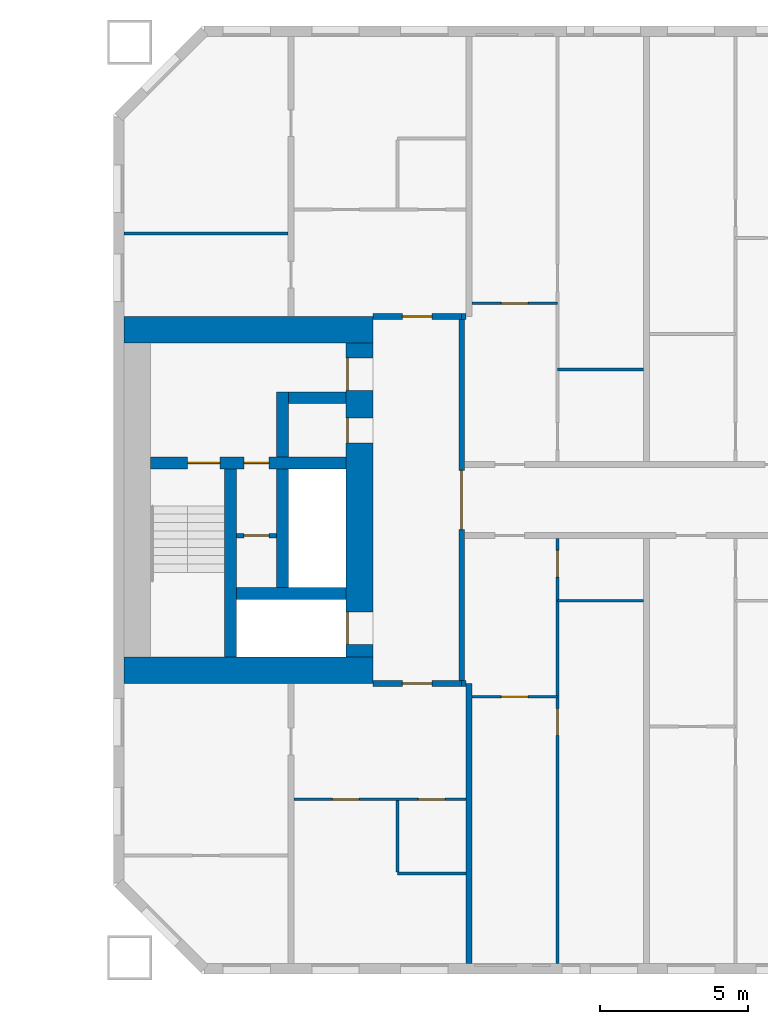
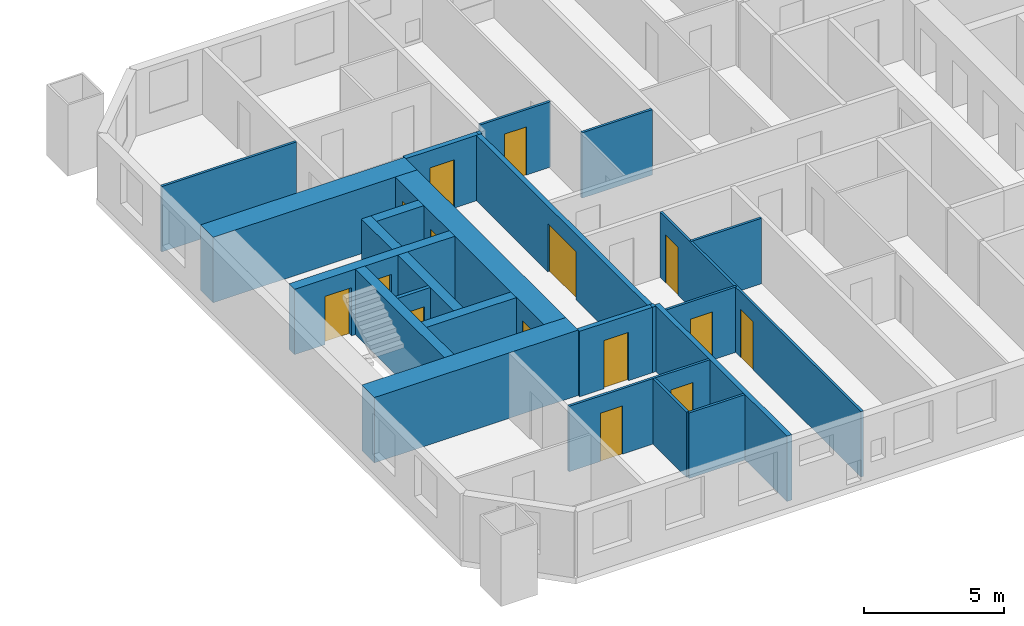
# One storey, part 10 of 17: 25 walls, 15 doors, 15 openings.
"""IFC4 building model written with IfcOpenShell, lengths in metres."""

from ifc_helpers import new_model, si_unit, direction, frame, frame_2d, origin, place, context, subcontext, project, spatial, rectangle, extrude, material, layer, layer_set, type_object, element, fill, save


model = new_model("IFC4")

# Units and contexts
model_context = context("Model", 3, precision=1e-05, world=origin(), true_north=direction((0.0, 1.0)))
body_context = subcontext(model_context, "Body", "Model", "MODEL_VIEW")
ifc_project = project(units=[si_unit("LENGTHUNIT", "METRE"), si_unit("AREAUNIT", "SQUARE_METRE"), si_unit("VOLUMEUNIT", "CUBIC_METRE"), si_unit("PLANEANGLEUNIT", "RADIAN"), si_unit("MASSUNIT", "GRAM", prefix="KILO")], contexts=[model_context])

# Site, building, storey
site_placement = place(None, origin())
site = spatial("IfcSite", under=ifc_project, at=site_placement, CompositionType="ELEMENT")
building_placement = place(site_placement, origin())
building = spatial("IfcBuilding", under=site, at=building_placement, Name="Tuart Gate Housing", CompositionType="ELEMENT")
storey_placement = place(building_placement, frame((0.0, 0.0, 28.800048828125)))
storey = spatial("IfcBuildingStorey", under=building, at=storey_placement, Name="L07", CompositionType="ELEMENT", Elevation=28.800048828125)

# Wall, opening, door
ifc_material_1 = material(Name="Plasterboard partition")
ifc_layer_1 = layer(ifc_material_1, 0.14990234375)
ifc_layer_set_1 = layer_set([ifc_layer_1], Name="Core partition 150")
wall_type_1 = type_object("IfcWallType", Name="Core partition 150", PredefinedType="PARTITIONING", material=ifc_layer_set_1)
wall_1_placement = place(storey_placement, frame((136.510009765625, 68.800048828125, 0.0), z_axis=(0.0, 0.0, 1.0), x_axis=(-1.0, 0.0, 0.0)))
wall_1 = element("IfcWall", 1, at=wall_1_placement, inside=storey, type_object=wall_type_1, Name="Core partition BG.2", PredefinedType="PARTITIONING", context=body_context, shape_type="SweptSolid", body=[
    extrude(rectangle(XDim=1.35009765625, YDim=0.14990234375, at=frame_2d((0.675048828125, 0.0))), origin(), (0.0, 0.0, 1.0), 2.849853515625),
])
opening_1_placement = place(wall_1_placement, frame((0.25, 0.0, 0.0)))
opening_1 = element("IfcOpeningElement", 2, at=opening_1_placement, cuts=wall_1, Name="Opening D564", PredefinedType="OPENING", context=body_context, shape_type="SweptSolid", body=[
    extrude(rectangle(XDim=0.85009765625, YDim=2.10009765625, at=frame_2d((0.425048828125, 1.050048828125))), frame((0.0, 0.0849609375, 0.0), z_axis=(0.0, -1.0, 0.0), x_axis=(1.0, 0.0, 0.0)), (0.0, 0.0, 1.0), 0.169921875),
])
ifc_material_2 = material(Name="Steel fire door", Category="steel")
door_type_1 = type_object("IfcDoorType", Name="Service door 850 x 2100 RH", OperationType="SINGLE_SWING_RIGHT", PredefinedType="DOOR", material=ifc_material_2)
door_1_placement = place(opening_1_placement, frame((0.85009765625, 0.0, 0.0), z_axis=(0.0, 0.0, 1.0), x_axis=(-1.0, 0.0, 0.0)))
door_1 = element("IfcDoor", 3, at=door_1_placement, inside=storey, type_object=door_type_1, Name="Service room door BG.W2", OperationType="SINGLE_SWING_RIGHT", OverallHeight=2.10009765625, OverallWidth=0.85009765625, PredefinedType="DOOR", context=body_context, shape_type="SweptSolid", body=[
    extrude(rectangle(XDim=0.85009765625, YDim=2.10009765625, at=frame_2d((0.425048828125, 1.050048828125))), frame((0.0, 0.025146484375, 0.0), z_axis=(0.0, -1.0, 0.0), x_axis=(1.0, 0.0, 0.0)), (0.0, 0.0, 1.0), 0.050048828125),
])
fill(opening_1, door_1)

# Wall
ifc_material_3 = material(Name="Concrete C60", Category="concrete")
ifc_layer_2 = layer(ifc_material_3, 0.39990234375)
ifc_layer_set_2 = layer_set([ifc_layer_2], Name="Core wall 400 C60")
wall_type_2 = type_object("IfcWallType", Name="Core wall 400 C60", PredefinedType="SHEAR", material=ifc_layer_set_2)
wall_2_placement = place(storey_placement, frame((138.860107421875, 66.85009765625, 0.0), z_axis=(0.0, 0.0, 1.0), x_axis=(-1.0, 0.0, 0.0)))
element("IfcWall", 4, at=wall_2_placement, inside=storey, type_object=wall_type_2, Name="Core wall BG.1", PredefinedType="SHEAR", context=body_context, shape_type="SweptSolid", body=[
    extrude(rectangle(XDim=3.7001953125, YDim=0.39990234375, at=frame_2d((1.85009765625, 0.0))), origin(), (0.0, 0.0, 1.0), 2.849853515625),
])

# Wall, openings, doors
wall_3_placement = place(storey_placement, frame((138.860107421875, 71.25, 0.0), z_axis=(0.0, 0.0, 1.0), x_axis=(-1.0, 0.0, 0.0)))
wall_3 = element("IfcWall", 5, at=wall_3_placement, inside=storey, type_object=wall_type_2, Name="Core wall BG.3", PredefinedType="SHEAR", context=body_context, shape_type="SweptSolid", body=[
    extrude(rectangle(XDim=6.60009765625, YDim=0.39990234375, at=frame_2d((3.300048828125, 0.0))), origin(), (0.0, 0.0, 1.0), 2.849853515625),
])
opening_2_placement = place(wall_3_placement, frame((4.25, 0.0, 0.0)))
opening_2 = element("IfcOpeningElement", 6, at=opening_2_placement, cuts=wall_3, Name="Opening D553", PredefinedType="OPENING", context=body_context, shape_type="SweptSolid", body=[
    extrude(rectangle(XDim=1.10009765625, YDim=2.10009765625, at=frame_2d((0.550048828125, 1.050048828125))), frame((0.0, 0.2099609375, 0.0), z_axis=(0.0, -1.0, 0.0), x_axis=(1.0, 0.0, 0.0)), (0.0, 0.0, 1.0), 0.419921875),
])
opening_3_placement = place(wall_3_placement, frame((2.60009765625, 0.0, 0.0)))
opening_3 = element("IfcOpeningElement", 7, at=opening_3_placement, cuts=wall_3, Name="Opening D552", PredefinedType="OPENING", context=body_context, shape_type="SweptSolid", body=[
    extrude(rectangle(XDim=0.85009765625, YDim=2.10009765625, at=frame_2d((0.425048828125, 1.050048828125))), frame((0.0, 0.2099609375, 0.0), z_axis=(0.0, -1.0, 0.0), x_axis=(1.0, 0.0, 0.0)), (0.0, 0.0, 1.0), 0.419921875),
])
ifc_material_4 = material(Name="Steel fire door", Category="steel")
door_type_2 = type_object("IfcDoorType", Name="Riser door 850 x 2100", OperationType="SINGLE_SWING_LEFT", PredefinedType="DOOR", material=ifc_material_4)
door_2_placement = place(opening_3_placement, origin())
door_2 = element("IfcDoor", 8, at=door_2_placement, inside=storey, type_object=door_type_2, Name="Service room door BG.W1", OperationType="SINGLE_SWING_LEFT", OverallHeight=2.10009765625, OverallWidth=0.85009765625, PredefinedType="DOOR", context=body_context, shape_type="SweptSolid", body=[
    extrude(rectangle(XDim=0.85009765625, YDim=2.10009765625, at=frame_2d((0.425048828125, 1.050048828125))), frame((0.0, 0.02490234375, 0.0), z_axis=(0.0, -1.0, 0.0), x_axis=(1.0, 0.0, 0.0)), (0.0, 0.0, 1.0), 0.050048828125),
])
fill(opening_3, door_2)
ifc_material_5 = material(Name="Steel fire door", Category="steel")
door_type_3 = type_object("IfcDoorType", Name="Stair door 1100 x 2100", OperationType="SINGLE_SWING_LEFT", PredefinedType="DOOR", material=ifc_material_5)
door_3_placement = place(opening_2_placement, origin())
door_3 = element("IfcDoor", 9, at=door_3_placement, inside=storey, type_object=door_type_3, Name="Stair door BG.SD", OperationType="SINGLE_SWING_LEFT", OverallHeight=2.10009765625, OverallWidth=1.10009765625, PredefinedType="DOOR", context=body_context, shape_type="SweptSolid", body=[
    extrude(rectangle(XDim=1.10009765625, YDim=2.10009765625, at=frame_2d((0.550048828125, 1.050048828125))), frame((0.0, 0.02490234375, 0.0), z_axis=(0.0, -1.0, 0.0), x_axis=(1.0, 0.0, 0.0)), (0.0, 0.0, 1.0), 0.050048828125),
])
fill(opening_2, door_3)

# Walls
wall_4_placement = place(storey_placement, frame((138.860107421875, 73.449951171875, 0.0), z_axis=(0.0, 0.0, 1.0), x_axis=(-1.0, 0.0, 0.0)))
element("IfcWall", 10, at=wall_4_placement, inside=storey, type_object=wall_type_2, Name="Core wall BG.4", PredefinedType="SHEAR", context=body_context, shape_type="SweptSolid", body=[
    extrude(rectangle(XDim=1.9501953125, YDim=0.39990234375, at=frame_2d((0.97509765625, 0.0))), origin(), (0.0, 0.0, 1.0), 2.849853515625),
])
wall_5_placement = place(storey_placement, frame((136.7099609375, 67.050048828125, 0.0), z_axis=(0.0, 0.0, 1.0), x_axis=(0.0, 1.0, 0.0)))
element("IfcWall", 11, at=wall_5_placement, inside=storey, type_object=wall_type_2, Name="Core wall BG.5", PredefinedType="SHEAR", context=body_context, shape_type="SweptSolid", body=[
    extrude(rectangle(XDim=4.0, YDim=0.39990234375, at=frame_2d((2.0, 0.0))), origin(), (0.0, 0.0, 1.0), 2.849853515625),
])
wall_6_placement = place(storey_placement, frame((136.7099609375, 71.449951171875, 0.0), z_axis=(0.0, 0.0, 1.0), x_axis=(0.0, 1.0, 0.0)))
element("IfcWall", 12, at=wall_6_placement, inside=storey, type_object=wall_type_2, Name="Core wall BG.6", PredefinedType="SHEAR", context=body_context, shape_type="SweptSolid", body=[
    extrude(rectangle(XDim=2.199951171875, YDim=0.39990234375, at=frame_2d((1.10009765625, 0.0))), origin(), (0.0, 0.0, 1.0), 2.849853515625),
])
wall_7_placement = place(storey_placement, frame((134.9599609375, 64.699951171875, 0.0), z_axis=(0.0, 0.0, 1.0), x_axis=(0.0, 1.0, 0.0)))
element("IfcWall", 13, at=wall_7_placement, inside=storey, type_object=wall_type_2, Name="Core wall BG.7", PredefinedType="SHEAR", context=body_context, shape_type="SweptSolid", body=[
    extrude(rectangle(XDim=6.35009765625, YDim=0.39990234375, at=frame_2d((3.175048828125, 0.0))), origin(), (0.0, 0.0, 1.0), 2.849853515625),
])

# Wall, openings, doors
ifc_material_6 = material(Name="Concrete C60", Category="concrete")
ifc_layer_3 = layer(ifc_material_6, 0.89990234375)
ifc_layer_set_3 = layer_set([ifc_layer_3], Name="Core wall 900 C60")
wall_type_3 = type_object("IfcWallType", Name="Core wall 900 C60", PredefinedType="SHEAR", material=ifc_layer_set_3)
wall_8_placement = place(storey_placement, frame((139.31005859375, 64.699951171875, 0.0), z_axis=(0.0, 0.0, 1.0), x_axis=(0.0, 1.0, 0.0)))
wall_8 = element("IfcWall", 14, at=wall_8_placement, inside=storey, type_object=wall_type_3, Name="Core wall BG front", PredefinedType="SHEAR", context=body_context, shape_type="SweptSolid", body=[
    extrude(rectangle(XDim=10.60009765625, YDim=0.89990234375, at=frame_2d((5.300048828125, 0.0))), origin(), (0.0, 0.0, 1.0), 2.849853515625),
])
opening_4_placement = place(wall_8_placement, frame((0.425048828125, 0.0, 0.0)))
opening_4 = element("IfcOpeningElement", 15, at=opening_4_placement, cuts=wall_8, Name="Opening LD-FB1", PredefinedType="OPENING", context=body_context, shape_type="SweptSolid", body=[
    extrude(rectangle(XDim=1.10009765625, YDim=2.10009765625, at=frame_2d((0.550048828125, 1.050048828125))), frame((0.0, 0.4599609375, 0.0), z_axis=(0.0, -1.0, 0.0), x_axis=(1.0, 0.0, 0.0)), (0.0, 0.0, 1.0), 0.919921875),
])
opening_5_placement = place(wall_8_placement, frame((9.0, 0.0, 0.0)))
opening_5 = element("IfcOpeningElement", 16, at=opening_5_placement, cuts=wall_8, Name="Opening D556", PredefinedType="OPENING", context=body_context, shape_type="SweptSolid", body=[
    extrude(rectangle(XDim=1.10009765625, YDim=2.10009765625, at=frame_2d((0.550048828125, 1.050048828125))), frame((0.0, 0.4599609375, 0.0), z_axis=(0.0, -1.0, 0.0), x_axis=(1.0, 0.0, 0.0)), (0.0, 0.0, 1.0), 0.919921875),
])
opening_6_placement = place(wall_8_placement, frame((7.22509765625, 0.0, 0.0)))
opening_6 = element("IfcOpeningElement", 17, at=opening_6_placement, cuts=wall_8, Name="Opening D557", PredefinedType="OPENING", context=body_context, shape_type="SweptSolid", body=[
    extrude(rectangle(XDim=0.85009765625, YDim=2.10009765625, at=frame_2d((0.425048828125, 1.050048828125))), frame((0.0, 0.4599609375, 0.0), z_axis=(0.0, -1.0, 0.0), x_axis=(1.0, 0.0, 0.0)), (0.0, 0.0, 1.0), 0.919921875),
])
ifc_material_7 = material(Name="Stainless steel", Category="steel")
door_type_4 = type_object("IfcDoorType", Name="Landing door 1100 x 2100", OperationType="DOUBLE_DOOR_SLIDING", PredefinedType="DOOR", material=ifc_material_7)
door_4_placement = place(opening_4_placement, origin())
door_4 = element("IfcDoor", 18, at=door_4_placement, inside=storey, type_object=door_type_4, Name="Lift landing door FB1", OperationType="DOUBLE_DOOR_SLIDING", OverallHeight=2.10009765625, OverallWidth=1.10009765625, PredefinedType="DOOR", context=body_context, shape_type="SweptSolid", body=[
    extrude(rectangle(XDim=1.10009765625, YDim=2.10009765625, at=frame_2d((0.550048828125, 1.050048828125))), frame((0.0, 0.43505859375, 0.0), z_axis=(0.0, -1.0, 0.0), x_axis=(1.0, 0.0, 0.0)), (0.0, 0.0, 1.0), 0.050048828125),
])
fill(opening_4, door_4)
ifc_material_8 = material(Name="Steel fire door", Category="steel")
door_type_5 = type_object("IfcDoorType", Name="Lobby door 1100 x 2100", OperationType="SINGLE_SWING_LEFT", PredefinedType="DOOR", material=ifc_material_8)
door_5_placement = place(opening_5_placement, origin())
door_5 = element("IfcDoor", 19, at=door_5_placement, inside=storey, type_object=door_type_5, Name="Lobby entry door BG.EN", OperationType="SINGLE_SWING_LEFT", OverallHeight=2.10009765625, OverallWidth=1.10009765625, PredefinedType="DOOR", context=body_context, shape_type="SweptSolid", body=[
    extrude(rectangle(XDim=1.10009765625, YDim=2.10009765625, at=frame_2d((0.550048828125, 1.050048828125))), frame((0.0, 0.43505859375, 0.0), z_axis=(0.0, -1.0, 0.0), x_axis=(1.0, 0.0, 0.0)), (0.0, 0.0, 1.0), 0.050048828125),
])
fill(opening_5, door_5)
ifc_material_9 = material(Name="Steel fire door", Category="steel")
door_type_6 = type_object("IfcDoorType", Name="Service door 850 x 2100", OperationType="SINGLE_SWING_LEFT", PredefinedType="DOOR", material=ifc_material_9)
door_6_placement = place(opening_6_placement, origin())
door_6 = element("IfcDoor", 20, at=door_6_placement, inside=storey, type_object=door_type_6, Name="Service room door BG.T1", OperationType="SINGLE_SWING_LEFT", OverallHeight=2.10009765625, OverallWidth=0.85009765625, PredefinedType="DOOR", context=body_context, shape_type="SweptSolid", body=[
    extrude(rectangle(XDim=0.85009765625, YDim=2.10009765625, at=frame_2d((0.425048828125, 1.050048828125))), frame((0.0, 0.43505859375, 0.0), z_axis=(0.0, -1.0, 0.0), x_axis=(1.0, 0.0, 0.0)), (0.0, 0.0, 1.0), 0.050048828125),
])
fill(opening_6, door_6)

# Walls
for number, where, z_axis, x_axis, name in (
    (21, (139.760009765625, 64.25, 0.0), (0.0, 0.0, 1.0), (-1.0, 0.0, 0.0), "Core wall BG south"),
    (22, (139.760009765625, 75.75, 0.0), (0.0, 0.0, 1.0), (-1.0, 0.0, 0.0), "Core wall BG north"),
):
    element("IfcWall", number, at=place(storey_placement, frame(where, z_axis=z_axis, x_axis=x_axis)), inside=storey, type_object=wall_type_3, Name=name, PredefinedType="SHEAR", context=body_context, shape_type="SweptSolid", body=[
        extrude(rectangle(XDim=8.39990234375, YDim=0.89990234375, at=frame_2d((4.199951171875, 0.0))), origin(), (0.0, 0.0, 1.0), 2.849853515625),
    ])

# Wall, opening, door
ifc_material_10 = material(Name="Concrete masonry 15 MPa", Category="masonry")
ifc_layer_4 = layer(ifc_material_10, 0.199951171875)
ifc_layer_set_4 = layer_set([ifc_layer_4], Name="Enclosure wall masonry 200")
wall_type_4 = type_object("IfcWallType", Name="Enclosure wall masonry 200", PredefinedType="PARTITIONING", material=ifc_layer_set_4)
wall_9_placement = place(storey_placement, frame((139.760009765625, 63.800048828125, 0.0), z_axis=(0.0, 0.0, 1.0), x_axis=(1.0, 0.0, 0.0)))
wall_9 = element("IfcWall", 23, at=wall_9_placement, inside=storey, type_object=wall_type_4, Name="Enclosure wall masonry 200", PredefinedType="PARTITIONING", context=body_context, shape_type="SweptSolid", body=[
    extrude(rectangle(XDim=3.0, YDim=0.199951171875, at=frame_2d((1.5, 0.0))), origin(), (0.0, 0.0, 1.0), 2.849853515625),
])
opening_7_placement = place(wall_9_placement, frame((1.0, 0.0, 0.0)))
opening_7 = element("IfcOpeningElement", 24, at=opening_7_placement, cuts=wall_9, Name="Opening D569", PredefinedType="OPENING", context=body_context, shape_type="SweptSolid", body=[
    extrude(rectangle(XDim=1.0, YDim=2.10009765625, at=frame_2d((0.5, 1.050048828125))), frame((0.0, 0.10986328125, 0.0), z_axis=(0.0, -1.0, 0.0), x_axis=(1.0, 0.0, 0.0)), (0.0, 0.0, 1.0), 0.219970703125),
])
ifc_material_11 = material(Name="Timber door leaf in steel frame", Category="steel")
door_type_7 = type_object("IfcDoorType", Name="Flat entrance door 1000", OperationType="SINGLE_SWING_LEFT", PredefinedType="DOOR", material=ifc_material_11)
door_7_placement = place(opening_7_placement, frame((1.0, 0.0, 0.0), z_axis=(0.0, 0.0, 1.0), x_axis=(-1.0, 0.0, 0.0)))
door_7 = element("IfcDoor", 25, at=door_7_placement, inside=storey, type_object=door_type_7, Name="Flat entrance door", OperationType="SINGLE_SWING_LEFT", OverallHeight=2.10009765625, OverallWidth=1.0, PredefinedType="DOOR", context=body_context, shape_type="SweptSolid", body=[
    extrude(rectangle(XDim=1.0, YDim=2.10009765625, at=frame_2d((0.5, 1.050048828125))), frame((0.0, 0.025146484375, 0.0), z_axis=(0.0, -1.0, 0.0), x_axis=(1.0, 0.0, 0.0)), (0.0, 0.0, 1.0), 0.050048828125),
])
fill(opening_7, door_7)

wall_10_placement = place(storey_placement, frame((139.760009765625, 76.199951171875, 0.0), z_axis=(0.0, 0.0, 1.0), x_axis=(1.0, 0.0, 0.0)))
wall_10 = element("IfcWall", 26, at=wall_10_placement, inside=storey, type_object=wall_type_4, Name="Enclosure wall masonry 200", PredefinedType="PARTITIONING", context=body_context, shape_type="SweptSolid", body=[
    extrude(rectangle(XDim=3.0, YDim=0.199951171875, at=frame_2d((1.5, 0.0))), origin(), (0.0, 0.0, 1.0), 2.849853515625),
])
opening_8_placement = place(wall_10_placement, frame((1.0, 0.0, 0.0)))
opening_8 = element("IfcOpeningElement", 27, at=opening_8_placement, cuts=wall_10, Name="Opening D549", PredefinedType="OPENING", context=body_context, shape_type="SweptSolid", body=[
    extrude(rectangle(XDim=1.0, YDim=2.10009765625, at=frame_2d((0.5, 1.050048828125))), frame((0.0, 0.10986328125, 0.0), z_axis=(0.0, -1.0, 0.0), x_axis=(1.0, 0.0, 0.0)), (0.0, 0.0, 1.0), 0.219970703125),
])
ifc_material_12 = material(Name="Timber door leaf in steel frame", Category="steel")
door_type_8 = type_object("IfcDoorType", Name="Flat entrance door 1000 RH", OperationType="SINGLE_SWING_RIGHT", PredefinedType="DOOR", material=ifc_material_12)
door_8_placement = place(opening_8_placement, origin())
door_8 = element("IfcDoor", 28, at=door_8_placement, inside=storey, type_object=door_type_8, Name="Flat entrance door", OperationType="SINGLE_SWING_RIGHT", OverallHeight=2.10009765625, OverallWidth=1.0, PredefinedType="DOOR", context=body_context, shape_type="SweptSolid", body=[
    extrude(rectangle(XDim=1.0, YDim=2.10009765625, at=frame_2d((0.5, 1.050048828125))), frame((0.0, 0.02490234375, 0.0), z_axis=(0.0, -1.0, 0.0), x_axis=(1.0, 0.0, 0.0)), (0.0, 0.0, 1.0), 0.050048828125),
])
fill(opening_8, door_8)

ifc_material_13 = material(Name="Plasterboard partition")
ifc_layer_5 = layer(ifc_material_13, 0.199951171875)
ifc_layer_set_5 = layer_set([ifc_layer_5], Name="Lobby wall 200")
wall_type_5 = type_object("IfcWallType", Name="Lobby wall 200", PredefinedType="PARTITIONING", material=ifc_layer_set_5)
wall_11_placement = place(storey_placement, frame((142.760009765625, 63.89990234375, 0.0), z_axis=(0.0, 0.0, 1.0), x_axis=(0.0, 1.0, 0.0)))
wall_11 = element("IfcWall", 29, at=wall_11_placement, inside=storey, type_object=wall_type_5, Name="Lift lobby wall BG", PredefinedType="PARTITIONING", context=body_context, shape_type="SweptSolid", body=[
    extrude(rectangle(XDim=12.2001953125, YDim=0.199951171875, at=frame_2d((6.10009765625, 0.0))), origin(), (0.0, 0.0, 1.0), 2.849853515625),
])
opening_9_placement = place(wall_11_placement, frame((5.10009765625, 0.0, 0.0)))
opening_9 = element("IfcOpeningElement", 30, at=opening_9_placement, cuts=wall_11, Name="Opening D558", PredefinedType="OPENING", context=body_context, shape_type="SweptSolid", body=[
    extrude(rectangle(XDim=2.0, YDim=2.10009765625, at=frame_2d((1.0, 1.050048828125))), frame((0.0, 0.10986328125, 0.0), z_axis=(0.0, -1.0, 0.0), x_axis=(1.0, 0.0, 0.0)), (0.0, 0.0, 1.0), 0.219970703125),
])
ifc_material_14 = material(Name="Steel fire door", Category="steel")
door_type_9 = type_object("IfcDoorType", Name="Smoke door 2000 x 2100", OperationType="DOUBLE_DOOR_SINGLE_SWING", PredefinedType="DOOR", material=ifc_material_14)
door_9_placement = place(opening_9_placement, origin())
door_9 = element("IfcDoor", 31, at=door_9_placement, inside=storey, type_object=door_type_9, Name="Lift lobby smoke door BG", OperationType="DOUBLE_DOOR_SINGLE_SWING", OverallHeight=2.10009765625, OverallWidth=2.0, PredefinedType="DOOR", context=body_context, shape_type="SweptSolid", body=[
    extrude(rectangle(XDim=2.0, YDim=2.10009765625, at=frame_2d((1.0, 1.050048828125))), frame((0.0, 0.02490234375, 0.0), z_axis=(0.0, -1.0, 0.0), x_axis=(1.0, 0.0, 0.0)), (0.0, 0.0, 1.0), 0.050048828125),
])
fill(opening_9, door_9)

# Wall
ifc_material_15 = material(Name="Gypsum board on steel studs", Category="steel")
ifc_layer_6 = layer(ifc_material_15, 0.10009765625)
ifc_layer_set_6 = layer_set([ifc_layer_6], Name="Partition 100")
wall_type_6 = type_object("IfcWallType", Name="Partition 100", PredefinedType="PARTITIONING", material=ifc_layer_set_6)
wall_12_placement = place(storey_placement, frame((140.60009765625, 57.39990234375, 0.0), z_axis=(0.0, 0.0, 1.0), x_axis=(1.0, 0.0, 0.0)))
element("IfcWall", 32, at=wall_12_placement, inside=storey, type_object=wall_type_6, Name="Partition 100", PredefinedType="PARTITIONING", context=body_context, shape_type="SweptSolid", body=[
    extrude(rectangle(XDim=2.2998046875, YDim=0.10009765625, at=frame_2d((1.14990234375, 0.0))), origin(), (0.0, 0.0, 1.0), 2.849853515625),
])

# Wall, openings, doors
wall_13_placement = place(storey_placement, frame((137.10009765625, 59.89990234375, 0.0), z_axis=(0.0, 0.0, 1.0), x_axis=(1.0, 0.0, 0.0)))
wall_13 = element("IfcWall", 33, at=wall_13_placement, inside=storey, type_object=wall_type_6, Name="Partition 100", PredefinedType="PARTITIONING", context=body_context, shape_type="SweptSolid", body=[
    extrude(rectangle(XDim=5.7998046875, YDim=0.10009765625, at=frame_2d((2.89990234375, 0.0))), origin(), (0.0, 0.0, 1.0), 2.849853515625),
])
opening_10_placement = place(wall_13_placement, frame((1.300048828125, 0.0, 0.0)))
opening_10 = element("IfcOpeningElement", 34, at=opening_10_placement, cuts=wall_13, Name="Opening D581", PredefinedType="OPENING", context=body_context, shape_type="SweptSolid", body=[
    extrude(rectangle(XDim=0.89990234375, YDim=2.10009765625, at=frame_2d((0.449951171875, 1.050048828125))), frame((0.0, 0.06005859375, 0.0), z_axis=(0.0, -1.0, 0.0), x_axis=(1.0, 0.0, 0.0)), (0.0, 0.0, 1.0), 0.1201171875),
])
opening_11_placement = place(wall_13_placement, frame((4.199951171875, 0.0, 0.0)))
opening_11 = element("IfcOpeningElement", 35, at=opening_11_placement, cuts=wall_13, Name="Opening D580", PredefinedType="OPENING", context=body_context, shape_type="SweptSolid", body=[
    extrude(rectangle(XDim=0.89990234375, YDim=2.10009765625, at=frame_2d((0.449951171875, 1.050048828125))), frame((0.0, 0.06005859375, 0.0), z_axis=(0.0, -1.0, 0.0), x_axis=(1.0, 0.0, 0.0)), (0.0, 0.0, 1.0), 0.1201171875),
])
ifc_material_16 = material(Name="Timber door leaf in steel frame", Category="steel")
door_type_10 = type_object("IfcDoorType", Name="Bathroom door 900 RH", OperationType="SINGLE_SWING_RIGHT", PredefinedType="DOOR", material=ifc_material_16)
door_10_placement = place(opening_11_placement, frame((0.89990234375, 0.0, 0.0), z_axis=(0.0, 0.0, 1.0), x_axis=(-1.0, 0.0, 0.0)))
door_10 = element("IfcDoor", 36, at=door_10_placement, inside=storey, type_object=door_type_10, Name="Bathroom door", OperationType="SINGLE_SWING_RIGHT", OverallHeight=2.10009765625, OverallWidth=0.89990234375, PredefinedType="DOOR", context=body_context, shape_type="SweptSolid", body=[
    extrude(rectangle(XDim=0.89990234375, YDim=2.10009765625, at=frame_2d((0.449951171875, 1.050048828125))), frame((0.0, 0.025146484375, 0.0), z_axis=(0.0, -1.0, 0.0), x_axis=(1.0, 0.0, 0.0)), (0.0, 0.0, 1.0), 0.050048828125),
])
fill(opening_11, door_10)
ifc_material_17 = material(Name="Timber door leaf in steel frame", Category="steel")
door_type_11 = type_object("IfcDoorType", Name="Internal door 900", OperationType="SINGLE_SWING_LEFT", PredefinedType="DOOR", material=ifc_material_17)
door_11_placement = place(opening_10_placement, frame((0.89990234375, 0.0, 0.0), z_axis=(0.0, 0.0, 1.0), x_axis=(-1.0, 0.0, 0.0)))
door_11 = element("IfcDoor", 37, at=door_11_placement, inside=storey, type_object=door_type_11, Name="Internal door", OperationType="SINGLE_SWING_LEFT", OverallHeight=2.10009765625, OverallWidth=0.89990234375, PredefinedType="DOOR", context=body_context, shape_type="SweptSolid", body=[
    extrude(rectangle(XDim=0.89990234375, YDim=2.10009765625, at=frame_2d((0.449951171875, 1.050048828125))), frame((0.0, 0.025146484375, 0.0), z_axis=(0.0, -1.0, 0.0), x_axis=(1.0, 0.0, 0.0)), (0.0, 0.0, 1.0), 0.050048828125),
])
fill(opening_10, door_11)

# Wall, opening, door
wall_14_placement = place(storey_placement, frame((143.10009765625, 63.360107421875, 0.0), z_axis=(0.0, 0.0, 1.0), x_axis=(1.0, 0.0, 0.0)))
wall_14 = element("IfcWall", 38, at=wall_14_placement, inside=storey, type_object=wall_type_6, Name="Partition 100", PredefinedType="PARTITIONING", context=body_context, shape_type="SweptSolid", body=[
    extrude(rectangle(XDim=2.89990234375, YDim=0.10009765625, at=frame_2d((1.449951171875, 0.0))), origin(), (0.0, 0.0, 1.0), 2.849853515625),
])
opening_12_placement = place(wall_14_placement, frame((1.0, 0.0, 0.0)))
opening_12 = element("IfcOpeningElement", 39, at=opening_12_placement, cuts=wall_14, Name="Opening D572", PredefinedType="OPENING", context=body_context, shape_type="SweptSolid", body=[
    extrude(rectangle(XDim=0.89990234375, YDim=2.10009765625, at=frame_2d((0.449951171875, 1.050048828125))), frame((0.0, 0.06005859375, 0.0), z_axis=(0.0, -1.0, 0.0), x_axis=(1.0, 0.0, 0.0)), (0.0, 0.0, 1.0), 0.1201171875),
])
ifc_material_18 = material(Name="Timber door leaf in steel frame", Category="steel")
door_type_12 = type_object("IfcDoorType", Name="Internal door 900 RH", OperationType="SINGLE_SWING_RIGHT", PredefinedType="DOOR", material=ifc_material_18)
door_12_placement = place(opening_12_placement, origin())
door_12 = element("IfcDoor", 40, at=door_12_placement, inside=storey, type_object=door_type_12, Name="Internal door", OperationType="SINGLE_SWING_RIGHT", OverallHeight=2.10009765625, OverallWidth=0.89990234375, PredefinedType="DOOR", context=body_context, shape_type="SweptSolid", body=[
    extrude(rectangle(XDim=0.89990234375, YDim=2.10009765625, at=frame_2d((0.449951171875, 1.050048828125))), frame((0.0, 0.02490234375, 0.0), z_axis=(0.0, -1.0, 0.0), x_axis=(1.0, 0.0, 0.0)), (0.0, 0.0, 1.0), 0.050048828125),
])
fill(opening_12, door_12)

# Walls
for number, where, z_axis, x_axis, name in (
    (41, (146.0, 66.60009765625, 0.0), (0.0, 0.0, 1.0), (1.0, 0.0, 0.0), "Partition 100"),
    (42, (146.0, 74.39990234375, 0.0), (0.0, 0.0, 1.0), (1.0, 0.0, 0.0), "Partition 100"),
):
    element("IfcWall", number, at=place(storey_placement, frame(where, z_axis=z_axis, x_axis=x_axis)), inside=storey, type_object=wall_type_6, Name=name, PredefinedType="PARTITIONING", context=body_context, shape_type="SweptSolid", body=[
        extrude(rectangle(XDim=2.89990234375, YDim=0.10009765625, at=frame_2d((1.449951171875, 0.0))), origin(), (0.0, 0.0, 1.0), 2.849853515625),
    ])

# Wall, opening, door
wall_15_placement = place(storey_placement, frame((143.10009765625, 76.639892578125, 0.0), z_axis=(0.0, 0.0, 1.0), x_axis=(1.0, 0.0, 0.0)))
wall_15 = element("IfcWall", 43, at=wall_15_placement, inside=storey, type_object=wall_type_6, Name="Partition 100", PredefinedType="PARTITIONING", context=body_context, shape_type="SweptSolid", body=[
    extrude(rectangle(XDim=2.89990234375, YDim=0.10009765625, at=frame_2d((1.449951171875, 0.0))), origin(), (0.0, 0.0, 1.0), 2.849853515625),
])
opening_13_placement = place(wall_15_placement, frame((1.0, 0.0, 0.0)))
opening_13 = element("IfcOpeningElement", 44, at=opening_13_placement, cuts=wall_15, Name="Opening D548", PredefinedType="OPENING", context=body_context, shape_type="SweptSolid", body=[
    extrude(rectangle(XDim=0.89990234375, YDim=2.10009765625, at=frame_2d((0.449951171875, 1.050048828125))), frame((0.0, 0.06005859375, 0.0), z_axis=(0.0, -1.0, 0.0), x_axis=(1.0, 0.0, 0.0)), (0.0, 0.0, 1.0), 0.1201171875),
])
door_13_placement = place(opening_13_placement, frame((0.89990234375, 0.0, 0.0), z_axis=(0.0, 0.0, 1.0), x_axis=(-1.0, 0.0, 0.0)))
door_13 = element("IfcDoor", 45, at=door_13_placement, inside=storey, type_object=door_type_11, Name="Internal door", OperationType="SINGLE_SWING_LEFT", OverallHeight=2.10009765625, OverallWidth=0.89990234375, PredefinedType="DOOR", context=body_context, shape_type="SweptSolid", body=[
    extrude(rectangle(XDim=0.89990234375, YDim=2.10009765625, at=frame_2d((0.449951171875, 1.050048828125))), frame((0.0, 0.025146484375, 0.0), z_axis=(0.0, -1.0, 0.0), x_axis=(1.0, 0.0, 0.0)), (0.0, 0.0, 1.0), 0.050048828125),
])
fill(opening_13, door_13)

# Walls
wall_16_placement = place(storey_placement, frame((131.360107421875, 79.0, 0.0), z_axis=(0.0, 0.0, 1.0), x_axis=(1.0, 0.0, 0.0)))
element("IfcWall", 46, at=wall_16_placement, inside=storey, type_object=wall_type_6, Name="Partition 100", PredefinedType="PARTITIONING", context=body_context, shape_type="SweptSolid", body=[
    extrude(rectangle(XDim=5.539794921875, YDim=0.10009765625, at=frame_2d((2.77001953125, 0.0))), origin(), (0.0, 0.0, 1.0), 2.849853515625),
])
wall_17_placement = place(storey_placement, frame((140.60009765625, 57.449951171875, 0.0), z_axis=(0.0, 0.0, 1.0), x_axis=(0.0, 1.0, 0.0)))
element("IfcWall", 47, at=wall_17_placement, inside=storey, type_object=wall_type_6, Name="Partition 100", PredefinedType="PARTITIONING", context=body_context, shape_type="SweptSolid", body=[
    extrude(rectangle(XDim=2.400146484375, YDim=0.10009765625, at=frame_2d((1.2001953125, 0.0))), origin(), (0.0, 0.0, 1.0), 2.849853515625),
])

# Wall, openings, doors
wall_18_placement = place(storey_placement, frame((146.0, 54.360107421875, 0.0), z_axis=(0.0, 0.0, 1.0), x_axis=(0.0, 1.0, 0.0)))
wall_18 = element("IfcWall", 48, at=wall_18_placement, inside=storey, type_object=wall_type_6, Name="Partition 100", PredefinedType="PARTITIONING", context=body_context, shape_type="SweptSolid", body=[
    extrude(rectangle(XDim=14.33984375, YDim=0.10009765625, at=frame_2d((7.169921875, 0.0))), origin(), (0.0, 0.0, 1.0), 2.849853515625),
])
opening_14_placement = place(wall_18_placement, frame((7.699951171875, 0.0, 0.0)))
opening_14 = element("IfcOpeningElement", 49, at=opening_14_placement, cuts=wall_18, Name="Opening D575", PredefinedType="OPENING", context=body_context, shape_type="SweptSolid", body=[
    extrude(rectangle(XDim=0.89990234375, YDim=2.10009765625, at=frame_2d((0.449951171875, 1.050048828125))), frame((0.0, 0.06005859375, 0.0), z_axis=(0.0, -1.0, 0.0), x_axis=(1.0, 0.0, 0.0)), (0.0, 0.0, 1.0), 0.1201171875),
])
opening_15_placement = place(wall_18_placement, frame((13.0400390625, 0.0, 0.0)))
opening_15 = element("IfcOpeningElement", 50, at=opening_15_placement, cuts=wall_18, Name="Opening D574", PredefinedType="OPENING", context=body_context, shape_type="SweptSolid", body=[
    extrude(rectangle(XDim=0.89990234375, YDim=2.10009765625, at=frame_2d((0.449951171875, 1.050048828125))), frame((0.0, 0.06005859375, 0.0), z_axis=(0.0, -1.0, 0.0), x_axis=(1.0, 0.0, 0.0)), (0.0, 0.0, 1.0), 0.1201171875),
])
ifc_material_19 = material(Name="Timber door leaf in steel frame", Category="steel")
door_type_13 = type_object("IfcDoorType", Name="Bathroom door 900", OperationType="SINGLE_SWING_LEFT", PredefinedType="DOOR", material=ifc_material_19)
door_14_placement = place(opening_15_placement, frame((0.89990234375, 0.0, 0.0), z_axis=(0.0, 0.0, 1.0), x_axis=(-1.0, 0.0, 0.0)))
door_14 = element("IfcDoor", 51, at=door_14_placement, inside=storey, type_object=door_type_13, Name="Bathroom door", OperationType="SINGLE_SWING_LEFT", OverallHeight=2.10009765625, OverallWidth=0.89990234375, PredefinedType="DOOR", context=body_context, shape_type="SweptSolid", body=[
    extrude(rectangle(XDim=0.89990234375, YDim=2.10009765625, at=frame_2d((0.449951171875, 1.050048828125))), frame((0.0, 0.025146484375, 0.0), z_axis=(0.0, -1.0, 0.0), x_axis=(1.0, 0.0, 0.0)), (0.0, 0.0, 1.0), 0.050048828125),
])
fill(opening_15, door_14)
door_15_placement = place(opening_14_placement, frame((0.89990234375, 0.0, 0.0), z_axis=(0.0, 0.0, 1.0), x_axis=(-1.0, 0.0, 0.0)))
door_15 = element("IfcDoor", 52, at=door_15_placement, inside=storey, type_object=door_type_11, Name="Internal door", OperationType="SINGLE_SWING_LEFT", OverallHeight=2.10009765625, OverallWidth=0.89990234375, PredefinedType="DOOR", context=body_context, shape_type="SweptSolid", body=[
    extrude(rectangle(XDim=0.89990234375, YDim=2.10009765625, at=frame_2d((0.449951171875, 1.050048828125))), frame((0.0, 0.025146484375, 0.0), z_axis=(0.0, -1.0, 0.0), x_axis=(1.0, 0.0, 0.0)), (0.0, 0.0, 1.0), 0.050048828125),
])
fill(opening_14, door_15)

# Walls
ifc_material_20 = material(Name="Concrete C40", Category="concrete")
ifc_layer_7 = layer(ifc_material_20, 0.199951171875)
ifc_layer_set_7 = layer_set([ifc_layer_7], Name="Party wall concrete C40 200")
wall_type_7 = type_object("IfcWallType", Name="Party wall concrete C40 200", PredefinedType="SOLIDWALL", material=ifc_layer_set_7)
wall_19_placement = place(storey_placement, frame((143.0, 54.360107421875, 0.0), z_axis=(0.0, 0.0, 1.0), x_axis=(0.0, 1.0, 0.0)))
element("IfcWall", 53, at=wall_19_placement, inside=storey, type_object=wall_type_7, Name="Party wall concrete C40 200", PredefinedType="SOLIDWALL", context=body_context, shape_type="SweptSolid", body=[
    extrude(rectangle(XDim=9.43994140625, YDim=0.199951171875, at=frame_2d((4.719970703125, 0.0))), origin(), (0.0, 0.0, 1.0), 2.849853515625),
])
ifc_material_21 = material(Name="Concrete masonry 15 MPa", Category="masonry")
ifc_layer_8 = layer(ifc_material_21, 0.199951171875)
ifc_layer_set_8 = layer_set([ifc_layer_8], Name="Party wall masonry 200")
wall_type_8 = type_object("IfcWallType", Name="Party wall masonry 200", PredefinedType="PARTITIONING", material=ifc_layer_set_8)
for number, where, z_axis, x_axis, name in (
    (54, (142.760009765625, 63.800048828125, 0.0), (0.0, 0.0, 1.0), (1.0, 0.0, 0.0), "Party wall masonry 200"),
    (55, (142.760009765625, 76.199951171875, 0.0), (0.0, 0.0, 1.0), (1.0, 0.0, 0.0), "Party wall masonry 200"),
):
    element("IfcWall", number, at=place(storey_placement, frame(where, z_axis=z_axis, x_axis=x_axis)), inside=storey, type_object=wall_type_8, Name=name, PredefinedType="PARTITIONING", context=body_context, shape_type="SweptSolid", body=[
        extrude(rectangle(XDim=0.139892578125, YDim=0.199951171875, at=frame_2d((0.06982421875, 0.0))), origin(), (0.0, 0.0, 1.0), 2.849853515625),
    ])

save(model, "model.ifc")
